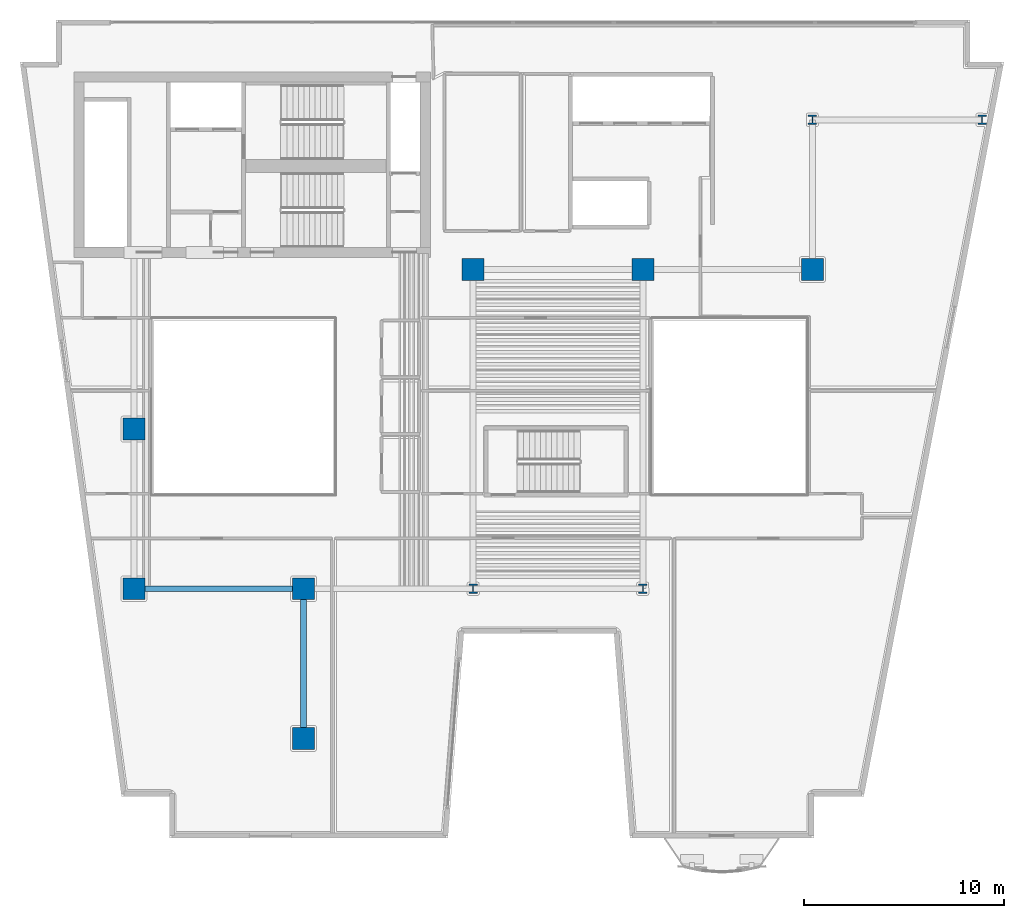
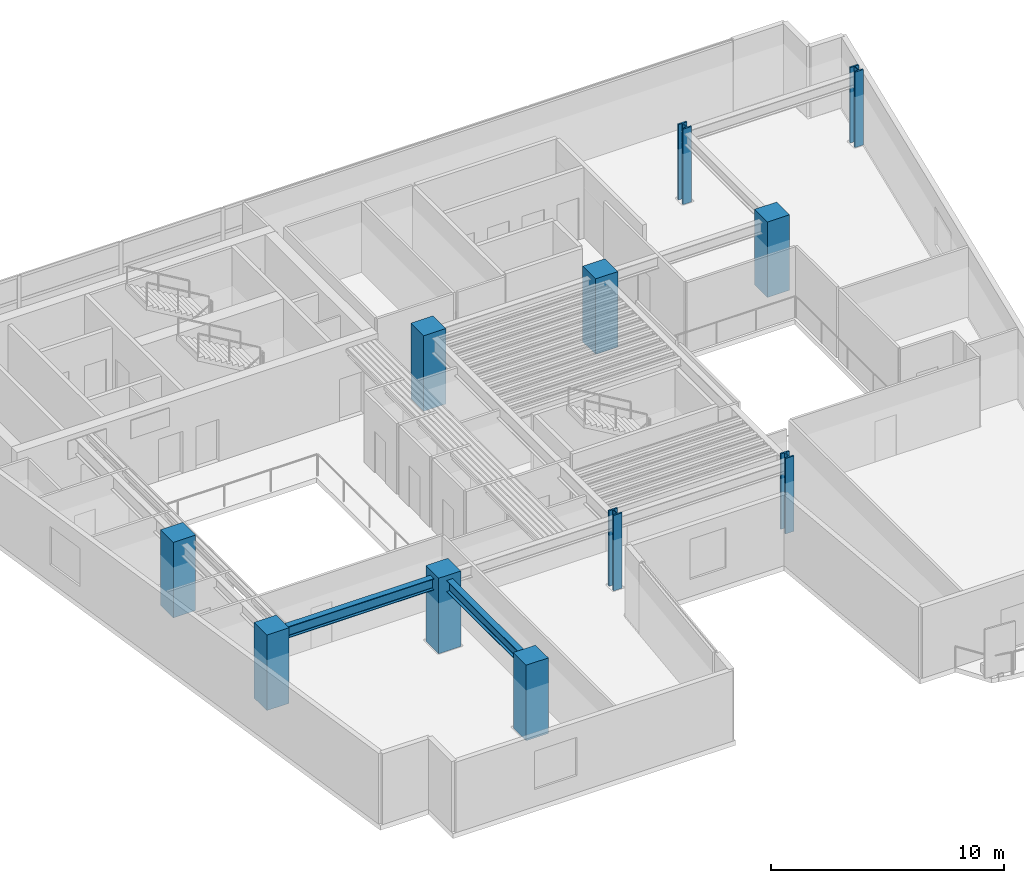
# One storey, part 1 of 13: 11 columns, 2 beams.
"""IFC4 building model written with IfcOpenShell, lengths in metres."""

from ifc_helpers import new_model, si_unit, direction, frame, origin, origin_2d, place, context, subcontext, project, spatial, rectangle, i_section, extrude, material, material_profile, profile_set, type_object, element, save


model = new_model("IFC4")

# Units and contexts
model_context = context("Model", 3, precision=1e-05, world=origin(), true_north=direction((0.0, 1.0)))
body_context = subcontext(model_context, "Body", "Model", "MODEL_VIEW")
ifc_project = project(units=[si_unit("LENGTHUNIT", "METRE"), si_unit("AREAUNIT", "SQUARE_METRE"), si_unit("VOLUMEUNIT", "CUBIC_METRE"), si_unit("PLANEANGLEUNIT", "RADIAN"), si_unit("MASSUNIT", "GRAM", prefix="KILO")], contexts=[model_context])

# Site, building, storey
site_placement = place(None, origin())
site = spatial("IfcSite", under=ifc_project, at=site_placement, CompositionType="ELEMENT")
building_placement = place(site_placement, origin())
building = spatial("IfcBuilding", under=site, at=building_placement, Name="Caeloran Harvest Quay", CompositionType="ELEMENT")
storey_placement = place(building_placement, frame((0.0, 0.0, 135.10009765625)))
storey = spatial("IfcBuildingStorey", under=building, at=storey_placement, Name="L31", CompositionType="ELEMENT", Elevation=135.10009765625)

# Columns
ifc_material_1 = material(Name="Concrete C70/85", Category="concrete")
ifc_material_profile_1 = material_profile(ifc_material_1, rectangle(XDim=1.10009765625, YDim=1.10009765625, at=origin_2d()), Name="RC 1100x1100")
ifc_profile_set_1 = profile_set([ifc_material_profile_1], Name="Concrete C70/85")
column_type_1 = type_object("IfcColumnType", Name="COL-MC-3-RC_1100x1100", PredefinedType="COLUMN", material=ifc_profile_set_1)
for number, where, z_axis, x_axis, name in (
    (1, (8.5, 15.0, 0.0), (0.0, 0.0, 1.0), (1.0, 0.0, 0.0), "L31 Structural Column (8.5, 15.0)"),
    (2, (8.5, 23.0, 0.0), (0.0, 0.0, 1.0), (1.0, 0.0, 0.0), "L31 Structural Column (8.5, 23.0)"),
    (3, (17.0, 7.5, 0.0), (0.0, 0.0, 1.0), (1.0, 0.0, 0.0), "L31 Structural Column (17.0, 7.5)"),
    (4, (17.0, 15.0, 0.0), (0.0, 0.0, 1.0), (1.0, 0.0, 0.0), "L31 Structural Column (17.0, 15.0)"),
    (5, (25.5, 31.0, 0.0), (0.0, 0.0, 1.0), (1.0, 0.0, 0.0), "L31 Structural Column (25.5, 31.0)"),
    (6, (34.0, 31.0, 0.0), (0.0, 0.0, 1.0), (1.0, 0.0, 0.0), "L31 Structural Column (34.0, 31.0)"),
    (7, (42.5, 31.0, 0.0), (0.0, 0.0, 1.0), (1.0, 0.0, 0.0), "L31 Structural Column (42.5, 31.0)"),
):
    element("IfcColumn", number, at=place(storey_placement, frame(where, z_axis=z_axis, x_axis=x_axis)), inside=storey, type_object=column_type_1, Name=name, PredefinedType="COLUMN", context=body_context, shape_type="SweptSolid", body=[
        extrude(rectangle(XDim=1.10009765625, YDim=1.10009765625, at=origin_2d()), origin(), (0.0, 0.0, 1.0), 3.949951171875),
    ])
ifc_material_2 = material(Name="Steel HISTAR 460", Category="steel")
ifc_material_profile_2 = material_profile(ifc_material_2, i_section(OverallWidth=0.424072265625, OverallDepth=0.47412109375, WebThickness=0.047607421875, FlangeThickness=0.076904296875, FilletRadius=0.014892578125, at=origin_2d()), Name="HD 400x634")
ifc_profile_set_2 = profile_set([ifc_material_profile_2], Name="Steel HISTAR 460")
column_type_2 = type_object("IfcColumnType", Name="COL-SC-3-HD_400x634", PredefinedType="COLUMN", material=ifc_profile_set_2)
for number, where, z_axis, x_axis, name in (
    (8, (25.5, 15.0, 0.0), (0.0, 0.0, 1.0), (1.0, 0.0, 0.0), "L31 Structural Column (25.5, 15.0)"),
    (9, (34.0, 15.0, 0.0), (0.0, 0.0, 1.0), (1.0, 0.0, 0.0), "L31 Structural Column (34.0, 15.0)"),
    (10, (42.5, 38.5, 0.0), (0.0, 0.0, 1.0), (1.0, 0.0, 0.0), "L31 Structural Column (42.5, 38.5)"),
    (11, (51.0, 38.5, 0.0), (0.0, 0.0, 1.0), (1.0, 0.0, 0.0), "L31 Structural Column (51.0, 38.5)"),
):
    element("IfcColumn", number, at=place(storey_placement, frame(where, z_axis=z_axis, x_axis=x_axis)), inside=storey, type_object=column_type_2, Name=name, PredefinedType="COLUMN", context=body_context, shape_type="SweptSolid", body=[
        extrude(i_section(OverallWidth=0.424072265625, OverallDepth=0.47412109375, WebThickness=0.047607421875, FlangeThickness=0.076904296875, FilletRadius=0.014892578125, at=origin_2d()), origin(), (0.0, 0.0, 1.0), 3.949951171875),
    ])

# Beams
ifc_material_3 = material(Name="Steel S355J2", Category="steel")
ifc_material_profile_3 = material_profile(ifc_material_3, i_section(OverallWidth=0.300048828125, OverallDepth=0.60009765625, WebThickness=0.015380859375, FlangeThickness=0.030029296875, FilletRadius=0.027099609375, at=origin_2d()), Name="HE 600 B")
ifc_profile_set_3 = profile_set([ifc_material_profile_3], Name="Steel S355J2")
beam_type = type_object("IfcBeamType", Name="BM-PG-3-HE_600_B", PredefinedType="BEAM", material=ifc_profile_set_3)
beam_1_placement = place(storey_placement, frame((8.5, 15.0, 3.389892578125), z_axis=(1.0, 0.0, 0.0), x_axis=(0.0, 1.0, 0.0)))
element("IfcBeam", 12, at=beam_1_placement, inside=storey, type_object=beam_type, Name="L31 Primary East-West Girder Y=15.0", PredefinedType="BEAM", context=body_context, shape_type="SweptSolid", body=[
    extrude(i_section(OverallWidth=0.300048828125, OverallDepth=0.60009765625, WebThickness=0.015380859375, FlangeThickness=0.030029296875, FilletRadius=0.027099609375, at=origin_2d()), origin(), (0.0, 0.0, 1.0), 8.5),
])
beam_2_placement = place(storey_placement, frame((17.0, 7.5, 3.389892578125), z_axis=(0.0, 1.0, 0.0), x_axis=(-1.0, 0.0, 0.0)))
element("IfcBeam", 13, at=beam_2_placement, inside=storey, type_object=beam_type, Name="L31 Primary North-South Girder X=17.0", PredefinedType="BEAM", context=body_context, shape_type="SweptSolid", body=[
    extrude(i_section(OverallWidth=0.300048828125, OverallDepth=0.60009765625, WebThickness=0.015380859375, FlangeThickness=0.030029296875, FilletRadius=0.027099609375, at=origin_2d()), origin(), (0.0, 0.0, 1.0), 7.5),
])

save(model, "model.ifc")
